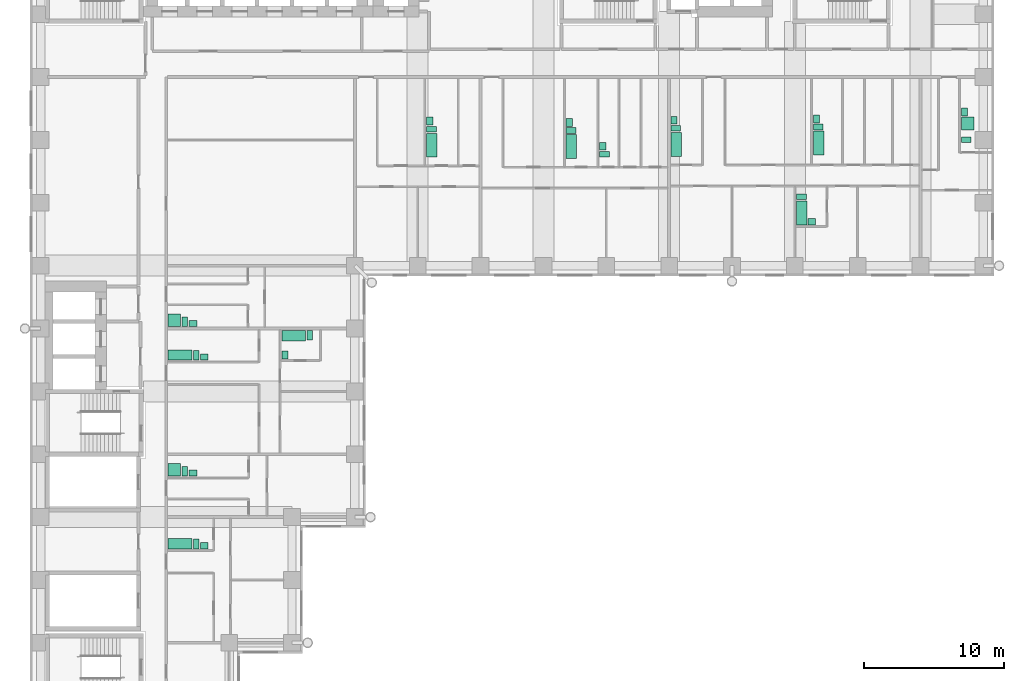
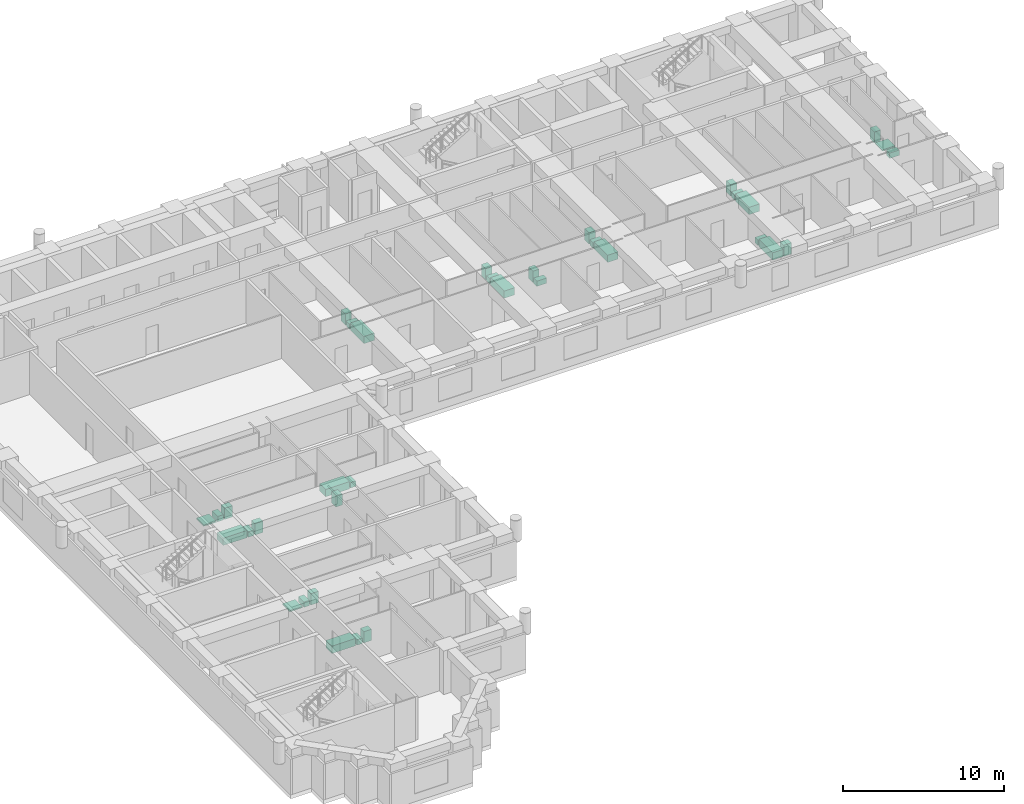
# One storey, part 14 of 14: 35 sanitary terminals.
"""IFC4 building model written with IfcOpenShell, lengths in metres."""

from ifc_helpers import new_model, si_unit, direction, frame, origin, origin_2d, place, context, subcontext, project, spatial, rectangle, extrude, material, type_object, element, save


model = new_model("IFC4")

# Units and contexts
model_context = context("Model", 3, precision=1e-05, world=origin(), true_north=direction((0.0, 1.0)))
body_context = subcontext(model_context, "Body", "Model", "MODEL_VIEW")
ifc_project = project(units=[si_unit("LENGTHUNIT", "METRE"), si_unit("AREAUNIT", "SQUARE_METRE"), si_unit("VOLUMEUNIT", "CUBIC_METRE"), si_unit("PLANEANGLEUNIT", "RADIAN"), si_unit("MASSUNIT", "GRAM", prefix="KILO")], contexts=[model_context])

# Site, building, storey
site_placement = place(None, origin())
site = spatial("IfcSite", under=ifc_project, at=site_placement, CompositionType="ELEMENT")
building_placement = place(site_placement, origin())
building = spatial("IfcBuilding", under=site, at=building_placement, Name="Firuza Court", CompositionType="ELEMENT")
storey_placement = place(building_placement, frame((0.0, 0.0, 90.199951171875)))
storey = spatial("IfcBuildingStorey", under=building, at=storey_placement, Name="L22", CompositionType="ELEMENT", Elevation=90.199951171875)

# Sanitary terminals
ifc_material_1 = material(Name="Vitreous china", Category="ceramic")
sanitary_terminal_type_1 = type_object("IfcSanitaryTerminalType", Name="Fixture Bath", PredefinedType="BATH", material=ifc_material_1)
for number, where, z_axis, x_axis, name in (
    (1, (28.0048828125, 44.6298828125, 0.0), (0.0, 0.0, 1.0), (1.0, 0.0, 0.0), "Bath"),
    (2, (38.0048828125, 44.530029296875, 0.0), (0.0, 0.0, 1.0), (1.0, 0.0, 0.0), "Bath"),
    (3, (45.5048828125, 44.679931640625, 0.0), (0.0, 0.0, 1.0), (1.0, 0.0, 0.0), "Bath"),
    (4, (55.705078125, 44.780029296875, 0.0), (0.0, 0.0, 1.0), (1.0, 0.0, 0.0), "Bath"),
    (5, (54.5048828125, 39.780029296875, 0.0), (0.0, 0.0, 1.0), (1.0, 0.0, 0.0), "Bath"),
):
    element("IfcSanitaryTerminal", number, at=place(storey_placement, frame(where, z_axis=z_axis, x_axis=x_axis)), inside=storey, type_object=sanitary_terminal_type_1, Name=name, PredefinedType="BATH", context=body_context, shape_type="SweptSolid", body=[
        extrude(rectangle(XDim=0.75, YDim=1.699951171875, at=origin_2d()), origin(), (0.0, 0.0, 1.0), 0.550048828125),
    ])
for number, where, z_axis, x_axis, name in (
    (6, (9.97998046875, 29.60498046875, 0.0), (0.0, 0.0, 1.0), (1.0, 0.0, 0.0), "Bath"),
    (7, (18.1298828125, 30.9951171875, 0.0), (0.0, 0.0, 1.0), (1.0, 0.0, 0.0), "Bath"),
    (8, (9.97998046875, 16.10498046875, 0.0), (0.0, 0.0, 1.0), (1.0, 0.0, 0.0), "Bath"),
):
    element("IfcSanitaryTerminal", number, at=place(storey_placement, frame(where, z_axis=z_axis, x_axis=x_axis)), inside=storey, type_object=sanitary_terminal_type_1, Name=name, PredefinedType="BATH", context=body_context, shape_type="SweptSolid", body=[
        extrude(rectangle(XDim=1.699951171875, YDim=0.75, at=origin_2d()), origin(), (0.0, 0.0, 1.0), 0.550048828125),
    ])
ifc_material_2 = material(Name="Vitreous china", Category="ceramic")
sanitary_terminal_type_2 = type_object("IfcSanitaryTerminalType", Name="Fixture Shower tray", PredefinedType="SHOWER", material=ifc_material_2)
for number, where, z_axis, x_axis, name in (
    (9, (66.3798828125, 46.179931640625, 0.0), (0.0, 0.0, 1.0), (1.0, 0.0, 0.0), "Shower tray"),
    (10, (9.580078125, 32.080078125, 0.0), (0.0, 0.0, 1.0), (1.0, 0.0, 0.0), "Shower tray"),
    (11, (9.580078125, 21.3798828125, 0.0), (0.0, 0.0, 1.0), (1.0, 0.0, 0.0), "Shower tray"),
):
    element("IfcSanitaryTerminal", number, at=place(storey_placement, frame(where, z_axis=z_axis, x_axis=x_axis)), inside=storey, type_object=sanitary_terminal_type_2, Name=name, PredefinedType="SHOWER", context=body_context, shape_type="SweptSolid", body=[
        extrude(rectangle(XDim=0.89990234375, YDim=0.89990234375, at=origin_2d()), origin(), (0.0, 0.0, 1.0), 0.10009765625),
    ])
ifc_material_3 = material(Name="Vitreous china", Category="ceramic")
sanitary_terminal_type_3 = type_object("IfcSanitaryTerminalType", Name="Fixture WC pan", PredefinedType="TOILETPAN", material=ifc_material_3)
for number, where, z_axis, x_axis, name in (
    (12, (27.97998046875, 45.780029296875, 0.0), (0.0, 0.0, 1.0), (1.0, 0.0, 0.0), "WC pan"),
    (13, (37.97998046875, 45.679931640625, 0.0), (0.0, 0.0, 1.0), (1.0, 0.0, 0.0), "WC pan"),
    (14, (40.3798828125, 43.97998046875, 0.0), (0.0, 0.0, 1.0), (1.0, 0.0, 0.0), "WC pan"),
    (15, (45.47998046875, 45.830078125, 0.0), (0.0, 0.0, 1.0), (1.0, 0.0, 0.0), "WC pan"),
    (16, (55.679931640625, 45.929931640625, 0.0), (0.0, 0.0, 1.0), (1.0, 0.0, 0.0), "WC pan"),
    (17, (54.47998046875, 40.929931640625, 0.0), (0.0, 0.0, 1.0), (1.0, 0.0, 0.0), "WC pan"),
    (18, (66.280029296875, 45.030029296875, 0.0), (0.0, 0.0, 1.0), (1.0, 0.0, 0.0), "WC pan"),
):
    element("IfcSanitaryTerminal", number, at=place(storey_placement, frame(where, z_axis=z_axis, x_axis=x_axis)), inside=storey, type_object=sanitary_terminal_type_3, Name=name, PredefinedType="TOILETPAN", context=body_context, shape_type="SweptSolid", body=[
        extrude(rectangle(XDim=0.699951171875, YDim=0.39990234375, at=origin_2d()), origin(), (0.0, 0.0, 1.0), 0.39990234375),
    ])
for number, where, z_axis, x_axis, name in (
    (19, (10.330078125, 31.97998046875, 0.0), (0.0, 0.0, 1.0), (1.0, 0.0, 0.0), "WC pan"),
    (20, (11.1298828125, 29.580078125, 0.0), (0.0, 0.0, 1.0), (1.0, 0.0, 0.0), "WC pan"),
    (21, (19.280029296875, 31.02001953125, 0.0), (0.0, 0.0, 1.0), (1.0, 0.0, 0.0), "WC pan"),
    (22, (10.330078125, 21.280029296875, 0.0), (0.0, 0.0, 1.0), (1.0, 0.0, 0.0), "WC pan"),
    (23, (11.1298828125, 16.080078125, 0.0), (0.0, 0.0, 1.0), (1.0, 0.0, 0.0), "WC pan"),
):
    element("IfcSanitaryTerminal", number, at=place(storey_placement, frame(where, z_axis=z_axis, x_axis=x_axis)), inside=storey, type_object=sanitary_terminal_type_3, Name=name, PredefinedType="TOILETPAN", context=body_context, shape_type="SweptSolid", body=[
        extrude(rectangle(XDim=0.39990234375, YDim=0.699951171875, at=origin_2d()), origin(), (0.0, 0.0, 1.0), 0.39990234375),
    ])
ifc_material_4 = material(Name="Vitreous china", Category="ceramic")
sanitary_terminal_type_4 = type_object("IfcSanitaryTerminalType", Name="Fixture Washbasin", PredefinedType="WASHHANDBASIN", material=ifc_material_4)
for number, where, z_axis, x_axis, name in (
    (24, (27.85498046875, 46.35498046875, 0.0), (0.0, 0.0, 1.0), (1.0, 0.0, 0.0), "Washbasin"),
    (25, (37.85498046875, 46.2548828125, 0.0), (0.0, 0.0, 1.0), (1.0, 0.0, 0.0), "Washbasin"),
    (26, (40.2548828125, 44.554931640625, 0.0), (0.0, 0.0, 1.0), (1.0, 0.0, 0.0), "Washbasin"),
    (27, (45.35498046875, 46.405029296875, 0.0), (0.0, 0.0, 1.0), (1.0, 0.0, 0.0), "Washbasin"),
    (28, (55.554931640625, 46.5048828125, 0.0), (0.0, 0.0, 1.0), (1.0, 0.0, 0.0), "Washbasin"),
):
    element("IfcSanitaryTerminal", number, at=place(storey_placement, frame(where, z_axis=z_axis, x_axis=x_axis)), inside=storey, type_object=sanitary_terminal_type_4, Name=name, PredefinedType="WASHHANDBASIN", context=body_context, shape_type="SweptSolid", body=[
        extrude(rectangle(XDim=0.449951171875, YDim=0.550048828125, at=origin_2d()), origin(), (0.0, 0.0, 1.0), 0.85009765625),
    ])
sanitary_terminal_1_placement = place(storey_placement, frame((55.205078125, 39.155029296875, 0.0), z_axis=(0.0, 0.0, 1.0), x_axis=(1.0, 0.0, 0.0)))
element("IfcSanitaryTerminal", 29, at=sanitary_terminal_1_placement, inside=storey, type_object=sanitary_terminal_type_4, Name="Washbasin", PredefinedType="WASHHANDBASIN", context=body_context, shape_type="SweptSolid", body=[
    extrude(rectangle(XDim=0.550048828125, YDim=0.449951171875, at=origin_2d()), origin(), (0.0, 0.0, 1.0), 0.85009765625),
])
sanitary_terminal_2_placement = place(storey_placement, frame((66.155029296875, 47.0048828125, 0.0), z_axis=(0.0, 0.0, 1.0), x_axis=(1.0, 0.0, 0.0)))
element("IfcSanitaryTerminal", 30, at=sanitary_terminal_2_placement, inside=storey, type_object=sanitary_terminal_type_4, Name="Washbasin", PredefinedType="WASHHANDBASIN", context=body_context, shape_type="SweptSolid", body=[
    extrude(rectangle(XDim=0.449951171875, YDim=0.550048828125, at=origin_2d()), origin(), (0.0, 0.0, 1.0), 0.85009765625),
])
for number, where, z_axis, x_axis, name in (
    (31, (10.905029296875, 31.85498046875, 0.0), (0.0, 0.0, 1.0), (1.0, 0.0, 0.0), "Washbasin"),
    (32, (11.705078125, 29.455078125, 0.0), (0.0, 0.0, 1.0), (1.0, 0.0, 0.0), "Washbasin"),
):
    element("IfcSanitaryTerminal", number, at=place(storey_placement, frame(where, z_axis=z_axis, x_axis=x_axis)), inside=storey, type_object=sanitary_terminal_type_4, Name=name, PredefinedType="WASHHANDBASIN", context=body_context, shape_type="SweptSolid", body=[
        extrude(rectangle(XDim=0.550048828125, YDim=0.449951171875, at=origin_2d()), origin(), (0.0, 0.0, 1.0), 0.85009765625),
    ])
sanitary_terminal_3_placement = place(storey_placement, frame((17.5048828125, 29.60498046875, 0.0), z_axis=(0.0, 0.0, 1.0), x_axis=(1.0, 0.0, 0.0)))
element("IfcSanitaryTerminal", 33, at=sanitary_terminal_3_placement, inside=storey, type_object=sanitary_terminal_type_4, Name="Washbasin", PredefinedType="WASHHANDBASIN", context=body_context, shape_type="SweptSolid", body=[
    extrude(rectangle(XDim=0.449951171875, YDim=0.550048828125, at=origin_2d()), origin(), (0.0, 0.0, 1.0), 0.85009765625),
])
for number, where, z_axis, x_axis, name in (
    (34, (10.905029296875, 21.155029296875, 0.0), (0.0, 0.0, 1.0), (1.0, 0.0, 0.0), "Washbasin"),
    (35, (11.705078125, 15.955078125, 0.0), (0.0, 0.0, 1.0), (1.0, 0.0, 0.0), "Washbasin"),
):
    element("IfcSanitaryTerminal", number, at=place(storey_placement, frame(where, z_axis=z_axis, x_axis=x_axis)), inside=storey, type_object=sanitary_terminal_type_4, Name=name, PredefinedType="WASHHANDBASIN", context=body_context, shape_type="SweptSolid", body=[
        extrude(rectangle(XDim=0.550048828125, YDim=0.449951171875, at=origin_2d()), origin(), (0.0, 0.0, 1.0), 0.85009765625),
    ])

save(model, "model.ifc")
